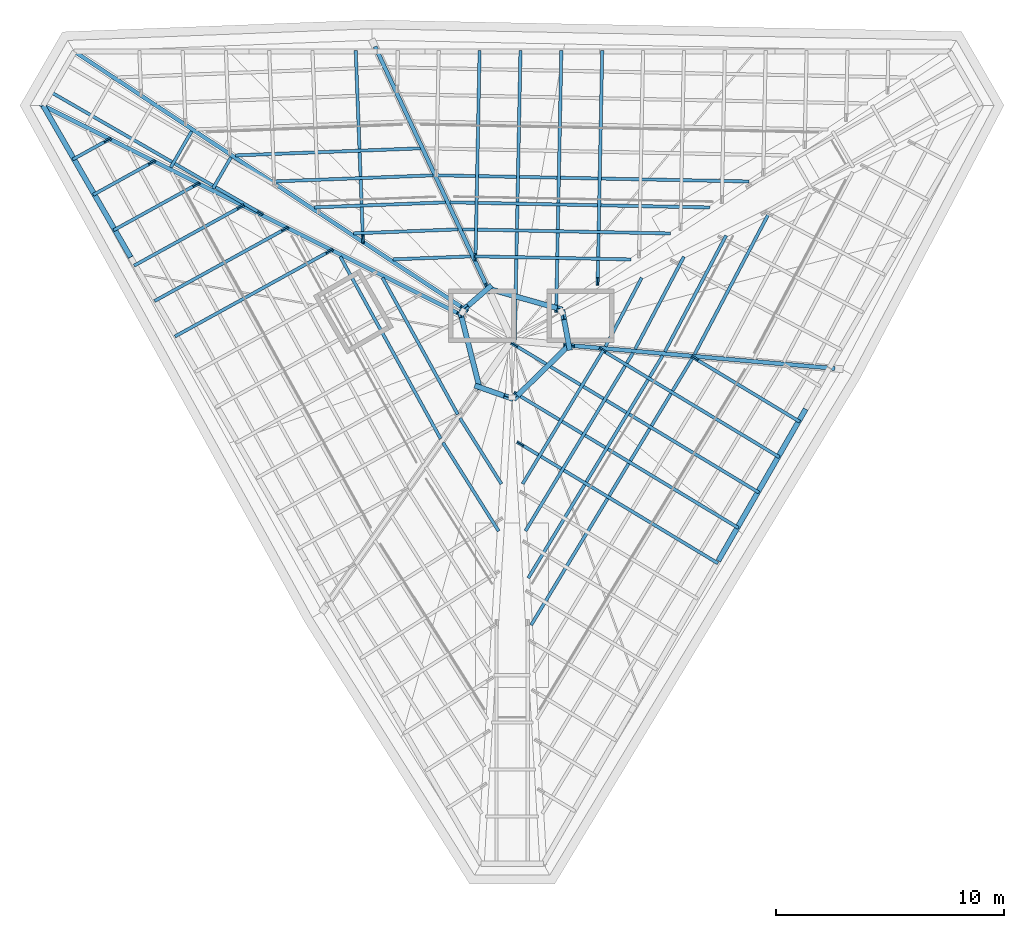
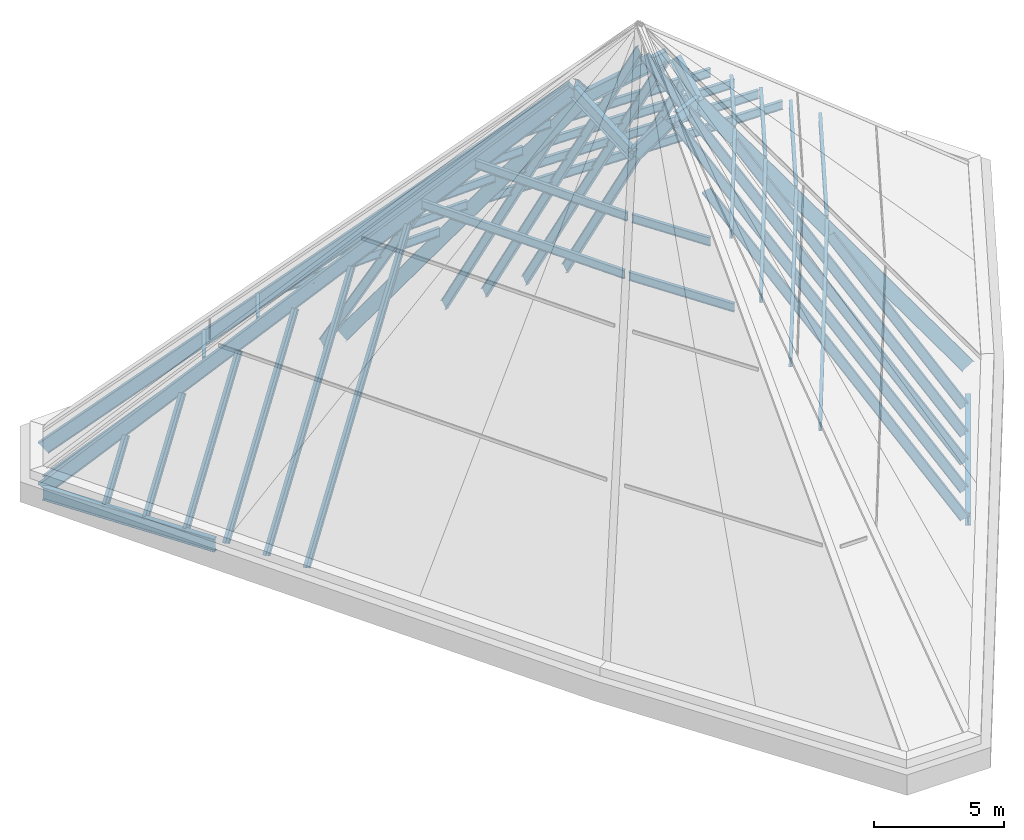
# One storey, part 2 of 6: 50 members, 2 beams.
"""IFC4 building model written with IfcOpenShell, lengths in metres."""

from ifc_helpers import new_model, si_unit, direction, frame, origin, origin_2d, place, context, subcontext, project, spatial, i_section, extrude, material, material_profile, profile_set, type_object, element, save


model = new_model("IFC4")

# Units and contexts
model_context = context("Model", 3, precision=1e-05, world=origin(), true_north=direction((0.0, 1.0)))
body_context = subcontext(model_context, "Body", "Model", "MODEL_VIEW")
ifc_project = project(units=[si_unit("LENGTHUNIT", "METRE"), si_unit("AREAUNIT", "SQUARE_METRE"), si_unit("VOLUMEUNIT", "CUBIC_METRE"), si_unit("PLANEANGLEUNIT", "RADIAN"), si_unit("MASSUNIT", "GRAM", prefix="KILO")], contexts=[model_context])

# Site, building, storey
site_placement = place(None, origin())
site = spatial("IfcSite", under=ifc_project, at=site_placement, CompositionType="ELEMENT")
building_placement = place(site_placement, origin())
building = spatial("IfcBuilding", under=site, at=building_placement, Name="Verrane Prism Tower", CompositionType="ELEMENT")
storey_placement = place(building_placement, frame((0.0, 0.0, 333.60009765625)))
storey = spatial("IfcBuildingStorey", under=building, at=storey_placement, Name="Roof", CompositionType="ELEMENT", Elevation=333.60009765625)

# Members
ifc_material_1 = material(Name="Steel A992", Category="steel")
ifc_material_profile_1 = material_profile(ifc_material_1, i_section(OverallWidth=0.228271484375, OverallDepth=0.607177734375, WebThickness=0.01123046875, FlangeThickness=0.017333984375, FilletRadius=0.0126953125, at=origin_2d()), Name="W24x76")
ifc_profile_set_1 = profile_set([ifc_material_profile_1], Name="Steel A992")
member_type_1 = type_object("IfcMemberType", Name="Apex ring W24x76", PredefinedType="MEMBER", material=ifc_profile_set_1)
member_1_placement = place(storey_placement, frame((-1.429931640625, -2.050048828125, 15.77001953125), z_axis=(0.661980454478, -0.232696924967, 0.712484399127), x_axis=(0.331624512771, 0.943411459825, 0.0)))
element("IfcMember", 1, at=member_1_placement, inside=storey, type_object=member_type_1, Name="Apex ring", PredefinedType="MEMBER", context=body_context, shape_type="SweptSolid", body=[
    extrude(i_section(OverallWidth=0.228271484375, OverallDepth=0.607177734375, WebThickness=0.01123046875, FlangeThickness=0.017333984375, FilletRadius=0.0126953125, at=origin_2d()), origin(), (0.0, 0.0, 1.0), 1.93359375),
])
member_2_placement = place(storey_placement, frame((0.14990234375, -2.5, 17.144287109375), z_axis=(0.659911060414, 0.642974375922, -0.388717563599), x_axis=(-0.69785588084, 0.716238207287, 0.0)))
element("IfcMember", 2, at=member_2_placement, inside=storey, type_object=member_type_1, Name="Apex ring", PredefinedType="MEMBER", context=body_context, shape_type="SweptSolid", body=[
    extrude(i_section(OverallWidth=0.228271484375, OverallDepth=0.607177734375, WebThickness=0.01123046875, FlangeThickness=0.017333984375, FilletRadius=0.0126953125, at=origin_2d()), origin(), (0.0, 0.0, 1.0), 3.546142578125),
])
member_3_placement = place(storey_placement, frame((2.489990234375, -0.219970703125, 15.765869140625), z_axis=(-0.128794030855, 0.690381284535, 0.711888881484), x_axis=(-0.983040056765, -0.183390967048, 0.0)))
element("IfcMember", 3, at=member_3_placement, inside=storey, type_object=member_type_1, Name="Apex ring", PredefinedType="MEMBER", context=body_context, shape_type="SweptSolid", body=[
    extrude(i_section(OverallWidth=0.228271484375, OverallDepth=0.607177734375, WebThickness=0.01123046875, FlangeThickness=0.017333984375, FilletRadius=0.0126953125, at=origin_2d()), origin(), (0.0, 0.0, 1.0), 1.941162109375),
])
member_4_placement = place(storey_placement, frame((2.090087890625, 1.3798828125, 17.14404296875), z_axis=(-0.886376223707, 0.250463280759, -0.389365297681), x_axis=(-0.27192247256, -0.96231916167, 0.0)))
element("IfcMember", 4, at=member_4_placement, inside=storey, type_object=member_type_1, Name="Apex ring", PredefinedType="MEMBER", context=body_context, shape_type="SweptSolid", body=[
    extrude(i_section(OverallWidth=0.228271484375, OverallDepth=0.607177734375, WebThickness=0.01123046875, FlangeThickness=0.017333984375, FilletRadius=0.0126953125, at=origin_2d()), origin(), (0.0, 0.0, 1.0), 3.553955078125),
])
member_5_placement = place(storey_placement, frame((-1.06005859375, 2.27001953125, 15.76025390625), z_axis=(-0.529907359407, -0.457938429106, 0.713786092323), x_axis=(0.653857961846, -0.75661731789, 0.0)))
element("IfcMember", 5, at=member_5_placement, inside=storey, type_object=member_type_1, Name="Apex ring", PredefinedType="MEMBER", context=body_context, shape_type="SweptSolid", body=[
    extrude(i_section(OverallWidth=0.228271484375, OverallDepth=0.607177734375, WebThickness=0.01123046875, FlangeThickness=0.017333984375, FilletRadius=0.0126953125, at=origin_2d()), origin(), (0.0, 0.0, 1.0), 1.94384765625),
])
member_6_placement = place(storey_placement, frame((-2.239990234375, 1.1201171875, 17.144287109375), z_axis=(0.228255633564, -0.893278903506, -0.387236576653), x_axis=(0.968869746324, 0.247571029519, 0.0)))
element("IfcMember", 6, at=member_6_placement, inside=storey, type_object=member_type_1, Name="Apex ring", PredefinedType="MEMBER", context=body_context, shape_type="SweptSolid", body=[
    extrude(i_section(OverallWidth=0.228271484375, OverallDepth=0.607177734375, WebThickness=0.01123046875, FlangeThickness=0.017333984375, FilletRadius=0.0126953125, at=origin_2d()), origin(), (0.0, 0.0, 1.0), 3.548828125),
])
ifc_material_2 = material(Name="Steel A992", Category="steel")
ifc_material_profile_2 = material_profile(ifc_material_2, i_section(OverallWidth=0.140380859375, OverallDepth=0.40380859375, WebThickness=0.007080078125, FlangeThickness=0.01123046875, FilletRadius=0.01025390625, at=origin_2d()), Name="W16x31")
ifc_profile_set_2 = profile_set([ifc_material_profile_2], Name="Steel A992")
member_type_2 = type_object("IfcMemberType", Name="Common rafter W16x31", PredefinedType="RAFTER", material=ifc_profile_set_2)
member_7_placement = place(storey_placement, frame((3.94677734375, 12.535888671875, -0.277099609375), z_axis=(-0.010786113223, -0.545648859263, 0.837944498249), x_axis=(0.999804680233, -0.019763637913, 0.0)))
element("IfcMember", 7, at=member_7_placement, inside=storey, type_object=member_type_2, Name="Common rafter", PredefinedType="RAFTER", context=body_context, shape_type="SweptSolid", body=[
    extrude(i_section(OverallWidth=0.140380859375, OverallDepth=0.40380859375, WebThickness=0.007080078125, FlangeThickness=0.01123046875, FilletRadius=0.01025390625, at=origin_2d()), origin(), (0.0, 0.0, 1.0), 18.24365234375),
])
member_8_placement = place(storey_placement, frame((2.156005859375, 12.535888671875, -0.22265625), z_axis=(-0.010786939717, -0.545654299446, 0.837940945071), x_axis=(0.999804654202, -0.019764954743, 0.0)))
element("IfcMember", 8, at=member_8_placement, inside=storey, type_object=member_type_2, Name="Common rafter", PredefinedType="RAFTER", context=body_context, shape_type="SweptSolid", body=[
    extrude(i_section(OverallWidth=0.140380859375, OverallDepth=0.40380859375, WebThickness=0.007080078125, FlangeThickness=0.01123046875, FilletRadius=0.01025390625, at=origin_2d()), origin(), (0.0, 0.0, 1.0), 20.4375),
])
member_9_placement = place(storey_placement, frame((0.365234375, 12.535888671875, -0.16845703125), z_axis=(-0.010776624783, -0.545648883634, 0.837944604462), x_axis=(0.999805023641, -0.01974625793, 0.0)))
element("IfcMember", 9, at=member_9_placement, inside=storey, type_object=member_type_2, Name="Common rafter", PredefinedType="RAFTER", context=body_context, shape_type="SweptSolid", body=[
    extrude(i_section(OverallWidth=0.140380859375, OverallDepth=0.40380859375, WebThickness=0.007080078125, FlangeThickness=0.01123046875, FilletRadius=0.01025390625, at=origin_2d()), origin(), (0.0, 0.0, 1.0), 22.632080078125),
])
member_10_placement = place(storey_placement, frame((-1.425537109375, 12.535888671875, -0.114013671875), z_axis=(-0.010786406319, -0.545657329677, 0.83793897869), x_axis=(0.999804675684, -0.019763868064, 0.0)))
element("IfcMember", 10, at=member_10_placement, inside=storey, type_object=member_type_2, Name="Common rafter", PredefinedType="RAFTER", context=body_context, shape_type="SweptSolid", body=[
    extrude(i_section(OverallWidth=0.140380859375, OverallDepth=0.40380859375, WebThickness=0.007080078125, FlangeThickness=0.01123046875, FilletRadius=0.01025390625, at=origin_2d()), origin(), (0.0, 0.0, 1.0), 16.296630859375),
])
member_11_placement = place(storey_placement, frame((-6.843505859375, 12.535888671875, -0.0302734375), z_axis=(0.021314738705, -0.555502849235, 0.831241400801), x_axis=(0.999264676877, 0.038341955426, 0.0)))
element("IfcMember", 11, at=member_11_placement, inside=storey, type_object=member_type_2, Name="Common rafter", PredefinedType="RAFTER", context=body_context, shape_type="SweptSolid", body=[
    extrude(i_section(OverallWidth=0.140380859375, OverallDepth=0.40380859375, WebThickness=0.007080078125, FlangeThickness=0.01123046875, FilletRadius=0.01025390625, at=origin_2d()), origin(), (0.0, 0.0, 1.0), 14.615478515625),
])
member_12_placement = place(storey_placement, frame((-20.0986328125, 10.8154296875, -0.71142578125), z_axis=(0.652629324317, -0.376804131599, 0.657338277792), x_axis=(0.500008375347, 0.866020568222, 0.0)))
element("IfcMember", 12, at=member_12_placement, inside=storey, type_object=member_type_2, Name="Common rafter", PredefinedType="RAFTER", context=body_context, shape_type="SweptSolid", body=[
    extrude(i_section(OverallWidth=0.140380859375, OverallDepth=0.40380859375, WebThickness=0.007080078125, FlangeThickness=0.01123046875, FilletRadius=0.01025390625, at=origin_2d()), origin(), (0.0, 0.0, 1.0), 13.894775390625),
])
member_13_placement = place(storey_placement, frame((-19.097412109375, 8.008056640625, -0.65576171875), z_axis=(0.477913017405, 0.263495243662, 0.837955490681), x_axis=(-0.48282319453, 0.875717855718, 0.0)))
element("IfcMember", 13, at=member_13_placement, inside=storey, type_object=member_type_2, Name="Common rafter", PredefinedType="RAFTER", context=body_context, shape_type="SweptSolid", body=[
    extrude(i_section(OverallWidth=0.140380859375, OverallDepth=0.40380859375, WebThickness=0.007080078125, FlangeThickness=0.01123046875, FilletRadius=0.01025390625, at=origin_2d()), origin(), (0.0, 0.0, 1.0), 2.88525390625),
])
member_14_placement = place(storey_placement, frame((-18.202392578125, 6.45654296875, -0.6025390625), z_axis=(0.477892470049, 0.263525621493, 0.837957656381), x_axis=(-0.482881800574, 0.875685540976, 0.0)))
element("IfcMember", 14, at=member_14_placement, inside=storey, type_object=member_type_2, Name="Common rafter", PredefinedType="RAFTER", context=body_context, shape_type="SweptSolid", body=[
    extrude(i_section(OverallWidth=0.140380859375, OverallDepth=0.40380859375, WebThickness=0.007080078125, FlangeThickness=0.01123046875, FilletRadius=0.01025390625, at=origin_2d()), origin(), (0.0, 0.0, 1.0), 5.08056640625),
])
member_15_placement = place(storey_placement, frame((-17.3076171875, 4.905029296875, -0.549072265625), z_axis=(0.477953766483, 0.263505400744, 0.837929054803), x_axis=(-0.482805897848, 0.875727391945, 0.0)))
element("IfcMember", 15, at=member_15_placement, inside=storey, type_object=member_type_2, Name="Common rafter", PredefinedType="RAFTER", context=body_context, shape_type="SweptSolid", body=[
    extrude(i_section(OverallWidth=0.140380859375, OverallDepth=0.40380859375, WebThickness=0.007080078125, FlangeThickness=0.01123046875, FilletRadius=0.01025390625, at=origin_2d()), origin(), (0.0, 0.0, 1.0), 7.27587890625),
])
member_16_placement = place(storey_placement, frame((-16.41259765625, 3.353759765625, -0.495849609375), z_axis=(0.477939791939, 0.263471366885, 0.837947727554), x_axis=(-0.482768898847, 0.87574778921, 0.0)))
element("IfcMember", 16, at=member_16_placement, inside=storey, type_object=member_type_2, Name="Common rafter", PredefinedType="RAFTER", context=body_context, shape_type="SweptSolid", body=[
    extrude(i_section(OverallWidth=0.140380859375, OverallDepth=0.40380859375, WebThickness=0.007080078125, FlangeThickness=0.01123046875, FilletRadius=0.01025390625, at=origin_2d()), origin(), (0.0, 0.0, 1.0), 9.47119140625),
])
member_17_placement = place(storey_placement, frame((-15.517578125, 1.80224609375, -0.4423828125), z_axis=(0.477934186673, 0.263493709799, 0.83794389914), x_axis=(-0.482804638496, 0.87572808625, 0.0)))
element("IfcMember", 17, at=member_17_placement, inside=storey, type_object=member_type_2, Name="Common rafter", PredefinedType="RAFTER", context=body_context, shape_type="SweptSolid", body=[
    extrude(i_section(OverallWidth=0.140380859375, OverallDepth=0.40380859375, WebThickness=0.007080078125, FlangeThickness=0.01123046875, FilletRadius=0.01025390625, at=origin_2d()), origin(), (0.0, 0.0, 1.0), 11.666259765625),
])
member_18_placement = place(storey_placement, frame((-14.62255859375, 0.250732421875, -0.388916015625), z_axis=(0.477951000148, 0.263510646861, 0.837928982939), x_axis=(-0.482815412404, 0.875722146314, 0.0)))
element("IfcMember", 18, at=member_18_placement, inside=storey, type_object=member_type_2, Name="Common rafter", PredefinedType="RAFTER", context=body_context, shape_type="SweptSolid", body=[
    extrude(i_section(OverallWidth=0.140380859375, OverallDepth=0.40380859375, WebThickness=0.007080078125, FlangeThickness=0.01123046875, FilletRadius=0.01025390625, at=origin_2d()), origin(), (0.0, 0.0, 1.0), 13.861328125),
])
member_19_placement = place(storey_placement, frame((8.8798828125, -9.683837890625, -0.27099609375), z_axis=(-0.467168937858, 0.282167575173, 0.837934748666), x_axis=(-0.517007815311, -0.855980676714, 0.0)))
element("IfcMember", 19, at=member_19_placement, inside=storey, type_object=member_type_2, Name="Common rafter", PredefinedType="RAFTER", context=body_context, shape_type="SweptSolid", body=[
    extrude(i_section(OverallWidth=0.140380859375, OverallDepth=0.40380859375, WebThickness=0.007080078125, FlangeThickness=0.01123046875, FilletRadius=0.01025390625, at=origin_2d()), origin(), (0.0, 0.0, 1.0), 18.236572265625),
])
member_20_placement = place(storey_placement, frame((9.77490234375, -8.13232421875, -0.2158203125), z_axis=(-0.467165424628, 0.282153910953, 0.837941308545), x_axis=(-0.516992319344, -0.855990036005, 0.0)))
element("IfcMember", 20, at=member_20_placement, inside=storey, type_object=member_type_2, Name="Common rafter", PredefinedType="RAFTER", context=body_context, shape_type="SweptSolid", body=[
    extrude(i_section(OverallWidth=0.140380859375, OverallDepth=0.40380859375, WebThickness=0.007080078125, FlangeThickness=0.01123046875, FilletRadius=0.01025390625, at=origin_2d()), origin(), (0.0, 0.0, 1.0), 20.429931640625),
])
member_21_placement = place(storey_placement, frame((10.669921875, -6.5810546875, -0.16064453125), z_axis=(-0.46715974772, 0.282162760999, 0.837941493433), x_axis=(-0.517008804251, -0.855980079398, 0.0)))
element("IfcMember", 21, at=member_21_placement, inside=storey, type_object=member_type_2, Name="Common rafter", PredefinedType="RAFTER", context=body_context, shape_type="SweptSolid", body=[
    extrude(i_section(OverallWidth=0.140380859375, OverallDepth=0.40380859375, WebThickness=0.007080078125, FlangeThickness=0.01123046875, FilletRadius=0.01025390625, at=origin_2d()), origin(), (0.0, 0.0, 1.0), 22.62353515625),
])
member_22_placement = place(storey_placement, frame((11.564697265625, -5.029541015625, -0.105224609375), z_axis=(-0.467153710167, 0.282171872999, 0.837941791037), x_axis=(-0.517025933107, -0.855969733399, 0.0)))
element("IfcMember", 22, at=member_22_placement, inside=storey, type_object=member_type_2, Name="Common rafter", PredefinedType="RAFTER", context=body_context, shape_type="SweptSolid", body=[
    extrude(i_section(OverallWidth=0.140380859375, OverallDepth=0.40380859375, WebThickness=0.007080078125, FlangeThickness=0.01123046875, FilletRadius=0.01025390625, at=origin_2d()), origin(), (0.0, 0.0, 1.0), 16.287841796875),
])
member_23_placement = place(storey_placement, frame((12.459716796875, -3.47802734375, -0.050048828125), z_axis=(-0.467144950363, 0.282165171322, 0.837948931286), x_axis=(-0.517024039401, -0.855970877239, 0.0)))
element("IfcMember", 23, at=member_23_placement, inside=storey, type_object=member_type_2, Name="Common rafter", PredefinedType="RAFTER", context=body_context, shape_type="SweptSolid", body=[
    extrude(i_section(OverallWidth=0.140380859375, OverallDepth=0.40380859375, WebThickness=0.007080078125, FlangeThickness=0.01123046875, FilletRadius=0.01025390625, at=origin_2d()), origin(), (0.0, 0.0, 1.0), 9.541015625),
])

# Beams
ifc_material_3 = material(Name="Steel A992", Category="steel")
ifc_material_profile_3 = material_profile(ifc_material_3, i_section(OverallWidth=0.228271484375, OverallDepth=0.607177734375, WebThickness=0.01123046875, FlangeThickness=0.017333984375, FilletRadius=0.0126953125, at=origin_2d()), Name="W24x76")
ifc_profile_set_3 = profile_set([ifc_material_profile_3], Name="Steel A992")
beam_type = type_object("IfcBeamType", Name="Eave ring beam W24x76", PredefinedType="BEAM", material=ifc_profile_set_3)
beam_1_placement = place(storey_placement, frame((-20.5400390625, 10.280029296875, -0.8447265625), z_axis=(0.499426643358, -0.865846879528, 0.029702005243), x_axis=(0.866229061425, 0.499647088596, 0.0)))
element("IfcBeam", 24, at=beam_1_placement, inside=storey, type_object=beam_type, Name="Eave ring beam", PredefinedType="BEAM", context=body_context, shape_type="SweptSolid", body=[
    extrude(i_section(OverallWidth=0.228271484375, OverallDepth=0.607177734375, WebThickness=0.01123046875, FlangeThickness=0.017333984375, FilletRadius=0.0126953125, at=origin_2d()), origin(), (0.0, 0.0, 1.0), 7.6689453125),
])
beam_2_placement = place(storey_placement, frame((9.0400390625, -9.64990234375, -0.388427734375), z_axis=(0.498841810985, 0.866104872998, 0.031924858378), x_axis=(-0.866546576227, 0.499096214401, 0.0)))
element("IfcBeam", 25, at=beam_2_placement, inside=storey, type_object=beam_type, Name="Eave ring beam", PredefinedType="BEAM", context=body_context, shape_type="SweptSolid", body=[
    extrude(i_section(OverallWidth=0.228271484375, OverallDepth=0.607177734375, WebThickness=0.01123046875, FlangeThickness=0.017333984375, FilletRadius=0.0126953125, at=origin_2d()), origin(), (0.0, 0.0, 1.0), 7.677978515625),
])

# Members
ifc_material_4 = material(Name="Steel A992", Category="steel")
ifc_material_profile_4 = material_profile(ifc_material_4, i_section(OverallWidth=0.177978515625, OverallDepth=0.599365234375, WebThickness=0.010009765625, FlangeThickness=0.012939453125, FilletRadius=0.012939453125, at=origin_2d()), Name="W24x55")
ifc_profile_set_4 = profile_set([ifc_material_profile_4], Name="Steel A992")
member_type_3 = type_object("IfcMemberType", Name="Hip rafter W24x55", PredefinedType="RAFTER", material=ifc_profile_set_4)
member_24_placement = place(storey_placement, frame((-5.89990234375, 12.64990234375, -0.02685546875), z_axis=(0.248148542037, -0.532197508739, 0.80943691093), x_axis=(0.906320331212, 0.422591359628, 0.0)))
element("IfcMember", 26, at=member_24_placement, inside=storey, type_object=member_type_3, Name="Hip rafter", PredefinedType="RAFTER", context=body_context, shape_type="SweptSolid", body=[
    extrude(i_section(OverallWidth=0.177978515625, OverallDepth=0.599365234375, WebThickness=0.010009765625, FlangeThickness=0.012939453125, FilletRadius=0.012939453125, at=origin_2d()), origin(), (0.0, 0.0, 1.0), 19.50390625),
])
member_25_placement = place(storey_placement, frame((-19.169921875, 12.64990234375, -0.67041015625), z_axis=(0.62947726035, -0.415356555873, 0.656686614905), x_axis=(0.550751286036, 0.834669408167, 0.0)))
element("IfcMember", 27, at=member_25_placement, inside=storey, type_object=member_type_3, Name="Hip rafter", PredefinedType="RAFTER", context=body_context, shape_type="SweptSolid", body=[
    extrude(i_section(OverallWidth=0.177978515625, OverallDepth=0.599365234375, WebThickness=0.010009765625, FlangeThickness=0.012939453125, FilletRadius=0.012939453125, at=origin_2d()), origin(), (0.0, 0.0, 1.0), 27.13330078125),
])
member_26_placement = place(storey_placement, frame((-20.5400390625, 10.280029296875, -0.673583984375), z_axis=(0.674423998165, -0.337576396963, 0.656653978068), x_axis=(0.44760008437, 0.894233842164, 0.0)))
element("IfcMember", 28, at=member_26_placement, inside=storey, type_object=member_type_3, Name="Hip rafter", PredefinedType="RAFTER", context=body_context, shape_type="SweptSolid", body=[
    extrude(i_section(OverallWidth=0.177978515625, OverallDepth=0.599365234375, WebThickness=0.010009765625, FlangeThickness=0.012939453125, FilletRadius=0.012939453125, at=origin_2d()), origin(), (0.0, 0.0, 1.0), 27.13427734375),
])
member_27_placement = place(storey_placement, frame((13.89990234375, -1.2099609375, -0.015869140625), z_axis=(-0.585139518683, 0.05077010267, 0.809341794516), x_axis=(-0.086441040031, -0.996256968155, 0.0)))
element("IfcMember", 29, at=member_27_placement, inside=storey, type_object=member_type_3, Name="Hip rafter", PredefinedType="RAFTER", context=body_context, shape_type="SweptSolid", body=[
    extrude(i_section(OverallWidth=0.177978515625, OverallDepth=0.599365234375, WebThickness=0.010009765625, FlangeThickness=0.012939453125, FilletRadius=0.012939453125, at=origin_2d()), origin(), (0.0, 0.0, 1.0), 19.49951171875),
])
ifc_material_5 = material(Name="Steel A992", Category="steel")
ifc_material_profile_5 = material_profile(ifc_material_5, i_section(OverallWidth=0.140380859375, OverallDepth=0.40380859375, WebThickness=0.007080078125, FlangeThickness=0.01123046875, FilletRadius=0.01025390625, at=origin_2d()), Name="W16x31")
ifc_profile_set_5 = profile_set([ifc_material_profile_5], Name="Steel A992")
member_type_4 = type_object("IfcMemberType", Name="Purlin W16x31", PredefinedType="PURLIN", material=ifc_profile_set_5)
member_28_placement = place(storey_placement, frame((10.38671875, 6.960693359375, 8.550048828125), z_axis=(-0.999805065029, 0.019744162217, 0.0), x_axis=(-0.019744162217, -0.999805065029, 0.0)))
element("IfcMember", 30, at=member_28_placement, inside=storey, type_object=member_type_4, Name="Purlin", PredefinedType="PURLIN", context=body_context, shape_type="SweptSolid", body=[
    extrude(i_section(OverallWidth=0.140380859375, OverallDepth=0.40380859375, WebThickness=0.007080078125, FlangeThickness=0.01123046875, FilletRadius=0.01025390625, at=origin_2d()), origin(), (0.0, 0.0, 1.0), 13.66357421875),
])
member_29_placement = place(storey_placement, frame((8.661376953125, 5.822021484375, 10.35009765625), z_axis=(-0.999804552751, 0.019770085951, 0.0), x_axis=(-0.019770085951, -0.999804552751, 0.0)))
element("IfcMember", 31, at=member_29_placement, inside=storey, type_object=member_type_4, Name="Purlin", PredefinedType="PURLIN", context=body_context, shape_type="SweptSolid", body=[
    extrude(i_section(OverallWidth=0.140380859375, OverallDepth=0.40380859375, WebThickness=0.007080078125, FlangeThickness=0.01123046875, FilletRadius=0.01025390625, at=origin_2d()), origin(), (0.0, 0.0, 1.0), 11.3857421875),
])
member_30_placement = place(storey_placement, frame((6.93603515625, 4.68359375, 12.150146484375), z_axis=(-0.999804843305, 0.019755386727, 0.0), x_axis=(-0.019755386727, -0.999804843305, 0.0)))
element("IfcMember", 32, at=member_30_placement, inside=storey, type_object=member_type_4, Name="Purlin", PredefinedType="PURLIN", context=body_context, shape_type="SweptSolid", body=[
    extrude(i_section(OverallWidth=0.140380859375, OverallDepth=0.40380859375, WebThickness=0.007080078125, FlangeThickness=0.01123046875, FilletRadius=0.01025390625, at=origin_2d()), origin(), (0.0, 0.0, 1.0), 9.10791015625),
])
member_31_placement = place(storey_placement, frame((5.210693359375, 3.545166015625, 13.9501953125), z_axis=(-0.999805327171, 0.019730883436, 0.0), x_axis=(-0.019730883436, -0.999805327171, 0.0)))
element("IfcMember", 33, at=member_31_placement, inside=storey, type_object=member_type_4, Name="Purlin", PredefinedType="PURLIN", context=body_context, shape_type="SweptSolid", body=[
    extrude(i_section(OverallWidth=0.140380859375, OverallDepth=0.40380859375, WebThickness=0.007080078125, FlangeThickness=0.01123046875, FilletRadius=0.01025390625, at=origin_2d()), origin(), (0.0, 0.0, 1.0), 6.830078125),
])
member_32_placement = place(storey_placement, frame((-4.021728515625, 8.412353515625, 6.7529296875), z_axis=(-0.999264865069, -0.038337050471, 0.0), x_axis=(0.038337050471, -0.999264865069, 0.0)))
element("IfcMember", 34, at=member_32_placement, inside=storey, type_object=member_type_4, Name="Purlin", PredefinedType="PURLIN", context=body_context, shape_type="SweptSolid", body=[
    extrude(i_section(OverallWidth=0.140380859375, OverallDepth=0.40380859375, WebThickness=0.007080078125, FlangeThickness=0.01123046875, FilletRadius=0.01025390625, at=origin_2d()), origin(), (0.0, 0.0, 1.0), 8.100341796875),
])
member_33_placement = place(storey_placement, frame((-3.4697265625, 7.228759765625, 8.552978515625), z_axis=(-0.999265697437, -0.038315348447, 0.0), x_axis=(0.038315348447, -0.999265697437, 0.0)))
element("IfcMember", 35, at=member_33_placement, inside=storey, type_object=member_type_4, Name="Purlin", PredefinedType="PURLIN", context=body_context, shape_type="SweptSolid", body=[
    extrude(i_section(OverallWidth=0.140380859375, OverallDepth=0.40380859375, WebThickness=0.007080078125, FlangeThickness=0.01123046875, FilletRadius=0.01025390625, at=origin_2d()), origin(), (0.0, 0.0, 1.0), 6.92626953125),
])
member_34_placement = place(storey_placement, frame((-2.917724609375, 6.04541015625, 10.35302734375), z_axis=(-0.999265244165, -0.038327167968, 0.0), x_axis=(0.038327167968, -0.999265244165, 0.0)))
element("IfcMember", 36, at=member_34_placement, inside=storey, type_object=member_type_4, Name="Purlin", PredefinedType="PURLIN", context=body_context, shape_type="SweptSolid", body=[
    extrude(i_section(OverallWidth=0.140380859375, OverallDepth=0.40380859375, WebThickness=0.007080078125, FlangeThickness=0.01123046875, FilletRadius=0.01025390625, at=origin_2d()), origin(), (0.0, 0.0, 1.0), 5.751953125),
])
member_35_placement = place(storey_placement, frame((-2.36572265625, 4.86181640625, 12.153076171875), z_axis=(-0.999264558101, -0.038345050823, 0.0), x_axis=(0.038345050823, -0.999264558101, 0.0)))
element("IfcMember", 37, at=member_35_placement, inside=storey, type_object=member_type_4, Name="Purlin", PredefinedType="PURLIN", context=body_context, shape_type="SweptSolid", body=[
    extrude(i_section(OverallWidth=0.140380859375, OverallDepth=0.40380859375, WebThickness=0.007080078125, FlangeThickness=0.01123046875, FilletRadius=0.01025390625, at=origin_2d()), origin(), (0.0, 0.0, 1.0), 4.577880859375),
])
member_36_placement = place(storey_placement, frame((-1.813720703125, 3.67822265625, 13.952880859375), z_axis=(-0.999266145999, -0.03830364812, 0.0), x_axis=(0.03830364812, -0.999266145999, 0.0)))
element("IfcMember", 38, at=member_36_placement, inside=storey, type_object=member_type_4, Name="Purlin", PredefinedType="PURLIN", context=body_context, shape_type="SweptSolid", body=[
    extrude(i_section(OverallWidth=0.140380859375, OverallDepth=0.40380859375, WebThickness=0.007080078125, FlangeThickness=0.01123046875, FilletRadius=0.01025390625, at=origin_2d()), origin(), (0.0, 0.0, 1.0), 3.403564453125),
])
member_37_placement = place(storey_placement, frame((-14.0400390625, 9.158203125, 4.99658203125), z_axis=(-0.499904359745, -0.86608061467, 0.0), x_axis=(0.86608061467, -0.499904359745, 0.0)))
element("IfcMember", 39, at=member_37_placement, inside=storey, type_object=member_type_4, Name="Purlin", PredefinedType="PURLIN", context=body_context, shape_type="SweptSolid", body=[
    extrude(i_section(OverallWidth=0.140380859375, OverallDepth=0.40380859375, WebThickness=0.007080078125, FlangeThickness=0.01123046875, FilletRadius=0.01025390625, at=origin_2d()), origin(), (0.0, 0.0, 1.0), 1.820068359375),
])
member_38_placement = place(storey_placement, frame((-12.314453125, 8.01953125, 6.796630859375), z_axis=(-0.499959680857, -0.866048680801, 0.0), x_axis=(0.866048680801, -0.499959680857, 0.0)))
element("IfcMember", 40, at=member_38_placement, inside=storey, type_object=member_type_4, Name="Purlin", PredefinedType="PURLIN", context=body_context, shape_type="SweptSolid", body=[
    extrude(i_section(OverallWidth=0.140380859375, OverallDepth=0.40380859375, WebThickness=0.007080078125, FlangeThickness=0.01123046875, FilletRadius=0.01025390625, at=origin_2d()), origin(), (0.0, 0.0, 1.0), 1.573974609375),
])
member_39_placement = place(storey_placement, frame((-7.525146484375, 3.66650390625, 12.150146484375), z_axis=(0.482818718538, -0.875720323522, 0.0), x_axis=(0.875720323522, 0.482818718538, 0.0)))
element("IfcMember", 41, at=member_39_placement, inside=storey, type_object=member_type_4, Name="Purlin", PredefinedType="PURLIN", context=body_context, shape_type="SweptSolid", body=[
    extrude(i_section(OverallWidth=0.140380859375, OverallDepth=0.40380859375, WebThickness=0.007080078125, FlangeThickness=0.01123046875, FilletRadius=0.01025390625, at=origin_2d()), origin(), (0.0, 0.0, 1.0), 9.109375),
])
member_40_placement = place(storey_placement, frame((-5.67626953125, 2.7412109375, 13.9501953125), z_axis=(0.482818458519, -0.87572046688, 0.0), x_axis=(0.87572046688, 0.482818458519, 0.0)))
element("IfcMember", 42, at=member_40_placement, inside=storey, type_object=member_type_4, Name="Purlin", PredefinedType="PURLIN", context=body_context, shape_type="SweptSolid", body=[
    extrude(i_section(OverallWidth=0.140380859375, OverallDepth=0.40380859375, WebThickness=0.007080078125, FlangeThickness=0.01123046875, FilletRadius=0.01025390625, at=origin_2d()), origin(), (0.0, 0.0, 1.0), 6.83154296875),
])
member_41_placement = place(storey_placement, frame((-3.027587890625, -4.4794921875, 12.153076171875), z_axis=(0.532790639546, -0.846247088274, 0.0), x_axis=(0.846247088274, 0.532790639546, 0.0)))
element("IfcMember", 43, at=member_41_placement, inside=storey, type_object=member_type_4, Name="Purlin", PredefinedType="PURLIN", context=body_context, shape_type="SweptSolid", body=[
    extrude(i_section(OverallWidth=0.140380859375, OverallDepth=0.40380859375, WebThickness=0.007080078125, FlangeThickness=0.01123046875, FilletRadius=0.01025390625, at=origin_2d()), origin(), (0.0, 0.0, 1.0), 4.578125),
])
member_42_placement = place(storey_placement, frame((-2.27880859375, -3.40966796875, 13.952880859375), z_axis=(0.532813269686, -0.84623284009, 0.0), x_axis=(0.84623284009, 0.532813269686, 0.0)))
element("IfcMember", 44, at=member_42_placement, inside=storey, type_object=member_type_4, Name="Purlin", PredefinedType="PURLIN", context=body_context, shape_type="SweptSolid", body=[
    extrude(i_section(OverallWidth=0.140380859375, OverallDepth=0.40380859375, WebThickness=0.007080078125, FlangeThickness=0.01123046875, FilletRadius=0.01025390625, at=origin_2d()), origin(), (0.0, 0.0, 1.0), 3.404052734375),
])
member_43_placement = place(storey_placement, frame((0.834716796875, -12.4755859375, 8.550048828125), z_axis=(0.516999761099, 0.855985541363, 0.0), x_axis=(-0.855985541363, 0.516999761099, 0.0)))
element("IfcMember", 45, at=member_43_placement, inside=storey, type_object=member_type_4, Name="Purlin", PredefinedType="PURLIN", context=body_context, shape_type="SweptSolid", body=[
    extrude(i_section(OverallWidth=0.140380859375, OverallDepth=0.40380859375, WebThickness=0.007080078125, FlangeThickness=0.01123046875, FilletRadius=0.01025390625, at=origin_2d()), origin(), (0.0, 0.0, 1.0), 13.666748046875),
])
member_44_placement = place(storey_placement, frame((0.711181640625, -10.412109375, 10.35009765625), z_axis=(0.517025007311, 0.855970292601, 0.0), x_axis=(-0.855970292601, 0.517025007311, 0.0)))
element("IfcMember", 46, at=member_44_placement, inside=storey, type_object=member_type_4, Name="Purlin", PredefinedType="PURLIN", context=body_context, shape_type="SweptSolid", body=[
    extrude(i_section(OverallWidth=0.140380859375, OverallDepth=0.40380859375, WebThickness=0.007080078125, FlangeThickness=0.01123046875, FilletRadius=0.01025390625, at=origin_2d()), origin(), (0.0, 0.0, 1.0), 11.388671875),
])
member_45_placement = place(storey_placement, frame((0.587890625, -8.348876953125, 12.150146484375), z_axis=(0.517011750612, 0.8559782998, 0.0), x_axis=(-0.8559782998, 0.517011750612, 0.0)))
element("IfcMember", 47, at=member_45_placement, inside=storey, type_object=member_type_4, Name="Purlin", PredefinedType="PURLIN", context=body_context, shape_type="SweptSolid", body=[
    extrude(i_section(OverallWidth=0.140380859375, OverallDepth=0.40380859375, WebThickness=0.007080078125, FlangeThickness=0.01123046875, FilletRadius=0.01025390625, at=origin_2d()), origin(), (0.0, 0.0, 1.0), 9.1103515625),
])
member_46_placement = place(storey_placement, frame((0.464599609375, -6.285400390625, 13.9501953125), z_axis=(0.517005466849, 0.855982095168, 0.0), x_axis=(-0.855982095168, 0.517005466849, 0.0)))
element("IfcMember", 48, at=member_46_placement, inside=storey, type_object=member_type_4, Name="Purlin", PredefinedType="PURLIN", context=body_context, shape_type="SweptSolid", body=[
    extrude(i_section(OverallWidth=0.140380859375, OverallDepth=0.40380859375, WebThickness=0.007080078125, FlangeThickness=0.01123046875, FilletRadius=0.01025390625, at=origin_2d()), origin(), (0.0, 0.0, 1.0), 6.83203125),
])
member_47_placement = place(storey_placement, frame((7.99658203125, -0.606689453125, 8.552978515625), z_axis=(0.46646833718, 0.884537896536, 0.0), x_axis=(-0.884537896536, 0.46646833718, 0.0)))
element("IfcMember", 49, at=member_47_placement, inside=storey, type_object=member_type_4, Name="Purlin", PredefinedType="PURLIN", context=body_context, shape_type="SweptSolid", body=[
    extrude(i_section(OverallWidth=0.140380859375, OverallDepth=0.40380859375, WebThickness=0.007080078125, FlangeThickness=0.01123046875, FilletRadius=0.01025390625, at=origin_2d()), origin(), (0.0, 0.0, 1.0), 6.92578125),
])
member_48_placement = place(storey_placement, frame((6.695556640625, -0.493408203125, 10.35302734375), z_axis=(0.466447809511, 0.884548721667, 0.0), x_axis=(-0.884548721667, 0.466447809511, 0.0)))
element("IfcMember", 50, at=member_48_placement, inside=storey, type_object=member_type_4, Name="Purlin", PredefinedType="PURLIN", context=body_context, shape_type="SweptSolid", body=[
    extrude(i_section(OverallWidth=0.140380859375, OverallDepth=0.40380859375, WebThickness=0.007080078125, FlangeThickness=0.01123046875, FilletRadius=0.01025390625, at=origin_2d()), origin(), (0.0, 0.0, 1.0), 5.751708984375),
])
member_49_placement = place(storey_placement, frame((5.394287109375, -0.380126953125, 12.153076171875), z_axis=(0.466458480741, 0.88454309434, 0.0), x_axis=(-0.88454309434, 0.466458480741, 0.0)))
element("IfcMember", 51, at=member_49_placement, inside=storey, type_object=member_type_4, Name="Purlin", PredefinedType="PURLIN", context=body_context, shape_type="SweptSolid", body=[
    extrude(i_section(OverallWidth=0.140380859375, OverallDepth=0.40380859375, WebThickness=0.007080078125, FlangeThickness=0.01123046875, FilletRadius=0.01025390625, at=origin_2d()), origin(), (0.0, 0.0, 1.0), 4.57763671875),
])
member_50_placement = place(storey_placement, frame((4.09326171875, -0.266845703125, 13.952880859375), z_axis=(0.466449985896, 0.884547573993, 0.0), x_axis=(-0.884547573993, 0.466449985896, 0.0)))
element("IfcMember", 52, at=member_50_placement, inside=storey, type_object=member_type_4, Name="Purlin", PredefinedType="PURLIN", context=body_context, shape_type="SweptSolid", body=[
    extrude(i_section(OverallWidth=0.140380859375, OverallDepth=0.40380859375, WebThickness=0.007080078125, FlangeThickness=0.01123046875, FilletRadius=0.01025390625, at=origin_2d()), origin(), (0.0, 0.0, 1.0), 3.403076171875),
])

save(model, "model.ifc")
